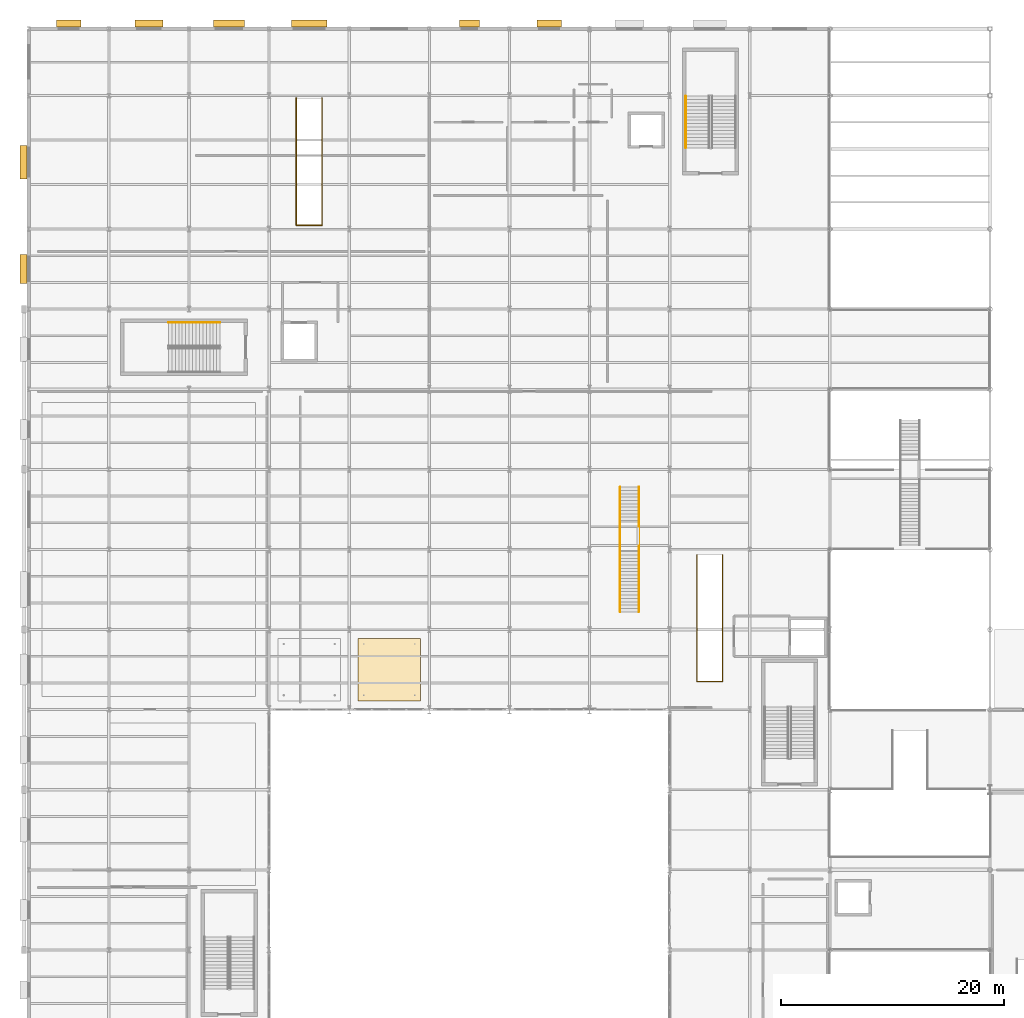
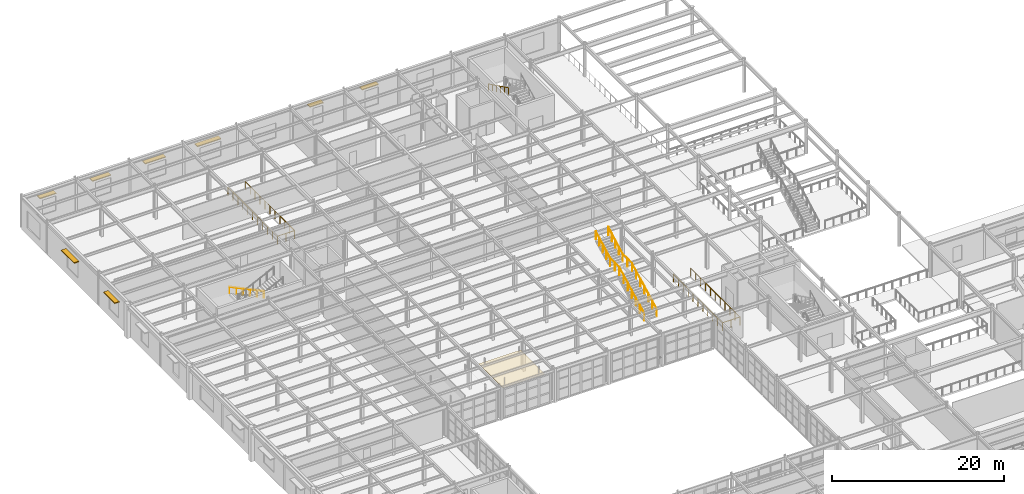
# One storey, part 116 of 121: 8 shading devices, 6 railings, 1 covering.
"""IFC4 building model written with IfcOpenShell, lengths in metres."""

from ifc_helpers import new_model, si_unit, direction, frame, origin, origin_2d, place, context, subcontext, project, spatial, polyline, rectangle, circle, outline, extrude, material, layer, layer_set, type_object, element, save


model = new_model("IFC4")

# Units and contexts
model_context = context("Model", 3, precision=1e-05, world=origin(), true_north=direction((0.0, 1.0)))
body_context = subcontext(model_context, "Body", "Model", "MODEL_VIEW")
ifc_project = project(units=[si_unit("LENGTHUNIT", "METRE"), si_unit("AREAUNIT", "SQUARE_METRE"), si_unit("VOLUMEUNIT", "CUBIC_METRE"), si_unit("PLANEANGLEUNIT", "RADIAN"), si_unit("MASSUNIT", "GRAM", prefix="KILO")], contexts=[model_context])

# Site, building, storey
site_placement = place(None, origin())
site = spatial("IfcSite", under=ifc_project, at=site_placement, CompositionType="ELEMENT")
building_placement = place(site_placement, origin())
building = spatial("IfcBuilding", under=site, at=building_placement, Name="Solvadek Multi-Sports Hall", CompositionType="ELEMENT")
storey_placement = place(building_placement, frame((0.0, 0.0, 4.800048828125)))
storey = spatial("IfcBuildingStorey", under=building, at=storey_placement, Name="L01", CompositionType="ELEMENT", Elevation=4.800048828125)

# Shading devices
ifc_material_1 = material(Name="Perforated champagne-bronze anodised aluminium", Category="aluminium")
shading_device_type_1 = type_object("IfcShadingDeviceType", Name="ENV-SHD-CHAJJA1", PredefinedType="JALOUSIE", material=ifc_material_1)
shading_device_1_placement = place(storey_placement, frame((-0.469482421875, 88.800048828125, 3.419921875), z_axis=(0.0, 0.0, 1.0), x_axis=(0.0, 1.0, 0.0)))
element("IfcShadingDevice", 1, at=shading_device_1_placement, inside=storey, type_object=shading_device_type_1, Name="L01 Chajja Solar Shading Hood #24", PredefinedType="JALOUSIE", context=body_context, shape_type="SweptSolid", body=[
    extrude(rectangle(XDim=2.60009765625, YDim=0.639892578125, at=origin_2d()), origin(), (0.0, 0.0, 1.0), 0.1201171875),
])
shading_device_2_placement = place(storey_placement, frame((-0.469482421875, 98.39990234375, 3.419921875), z_axis=(0.0, 0.0, 1.0), x_axis=(0.0, 1.0, 0.0)))
element("IfcShadingDevice", 2, at=shading_device_2_placement, inside=storey, type_object=shading_device_type_1, Name="L01 Chajja Solar Shading Hood #26", PredefinedType="JALOUSIE", context=body_context, shape_type="SweptSolid", body=[
    extrude(rectangle(XDim=3.0, YDim=0.639892578125, at=origin_2d()), origin(), (0.0, 0.0, 1.0), 0.1201171875),
])
shading_device_3_placement = place(storey_placement, frame((10.800048828125, 110.869384765625, 3.119873046875), z_axis=(0.0, 0.0, 1.0), x_axis=(1.0, 0.0, 0.0)))
element("IfcShadingDevice", 3, at=shading_device_3_placement, inside=storey, type_object=shading_device_type_1, Name="L01 Chajja Solar Shading Hood #31", PredefinedType="JALOUSIE", context=body_context, shape_type="SweptSolid", body=[
    extrude(rectangle(XDim=2.5, YDim=0.639892578125, at=origin_2d()), origin(), (0.0, 0.0, 1.0), 0.1201171875),
])
shading_device_4_placement = place(storey_placement, frame((18.0, 110.869384765625, 3.119873046875), z_axis=(0.0, 0.0, 1.0), x_axis=(1.0, 0.0, 0.0)))
element("IfcShadingDevice", 4, at=shading_device_4_placement, inside=storey, type_object=shading_device_type_1, Name="L01 Chajja Solar Shading Hood #33", PredefinedType="JALOUSIE", context=body_context, shape_type="SweptSolid", body=[
    extrude(rectangle(XDim=2.800048828125, YDim=0.639892578125, at=origin_2d()), origin(), (0.0, 0.0, 1.0), 0.1201171875),
])
shading_device_5_placement = place(storey_placement, frame((25.199951171875, 110.869384765625, 3.119873046875), z_axis=(0.0, 0.0, 1.0), x_axis=(1.0, 0.0, 0.0)))
element("IfcShadingDevice", 5, at=shading_device_5_placement, inside=storey, type_object=shading_device_type_1, Name="L01 Chajja Solar Shading Hood #36", PredefinedType="JALOUSIE", context=body_context, shape_type="SweptSolid", body=[
    extrude(rectangle(XDim=3.199951171875, YDim=0.639892578125, at=origin_2d()), origin(), (0.0, 0.0, 1.0), 0.1201171875),
])
shading_device_type_2 = type_object("IfcShadingDeviceType", Name="ENV-SHD-CHAJJA2", PredefinedType="JALOUSIE", material=ifc_material_1)
shading_device_6_placement = place(storey_placement, frame((3.60009765625, 110.869384765625, 3.119873046875), z_axis=(0.0, 0.0, 1.0), x_axis=(1.0, 0.0, 0.0)))
element("IfcShadingDevice", 6, at=shading_device_6_placement, inside=storey, type_object=shading_device_type_2, Name="L01 Chajja Solar Shading Hood #29", PredefinedType="JALOUSIE", context=body_context, shape_type="SweptSolid", body=[
    extrude(rectangle(XDim=2.199951171875, YDim=0.639892578125, at=origin_2d()), origin(), (0.0, 0.0, 1.0), 0.1201171875),
])
shading_device_7_placement = place(storey_placement, frame((39.60009765625, 110.869384765625, 3.419921875), z_axis=(0.0, 0.0, 1.0), x_axis=(1.0, 0.0, 0.0)))
element("IfcShadingDevice", 7, at=shading_device_7_placement, inside=storey, type_object=shading_device_type_2, Name="L01 Chajja Solar Shading Hood #40", PredefinedType="JALOUSIE", context=body_context, shape_type="SweptSolid", body=[
    extrude(rectangle(XDim=1.800048828125, YDim=0.639892578125, at=origin_2d()), origin(), (0.0, 0.0, 1.0), 0.1201171875),
])
shading_device_8_placement = place(storey_placement, frame((46.800048828125, 110.869384765625, 3.419921875), z_axis=(0.0, 0.0, 1.0), x_axis=(1.0, 0.0, 0.0)))
element("IfcShadingDevice", 8, at=shading_device_8_placement, inside=storey, type_object=shading_device_type_2, Name="L01 Chajja Solar Shading Hood #42", PredefinedType="JALOUSIE", context=body_context, shape_type="SweptSolid", body=[
    extrude(rectangle(XDim=2.199951171875, YDim=0.639892578125, at=origin_2d()), origin(), (0.0, 0.0, 1.0), 0.1201171875),
])

# Covering
ifc_material_2 = material(Name="Acoustic mineral-wool ceiling tile")
ifc_layer = layer(ifc_material_2, 0.02490234375, Name="Acoustic mineral-wool ceiling tile")
ifc_layer_set = layer_set([ifc_layer], Name="Acoustic mineral-wool ceiling tile")
covering_type = type_object("IfcCoveringType", Name="INT-COV-CEIL", PredefinedType="CEILING", material=ifc_layer_set)
covering_placement = place(storey_placement, frame((0.0, 0.0, 3.599853515625)))
element("IfcCovering", 9, at=covering_placement, inside=storey, type_object=covering_type, Name="L01 Acoustic Suspended Ceiling Raft #5", PredefinedType="CEILING", context=body_context, shape_type="SweptSolid", body=[
    extrude(outline(polyline([(29.60009765625, 50.0), (35.199951171875, 50.0), (35.199951171875, 55.60009765625), (29.60009765625, 55.60009765625), (29.60009765625, 50.0)])), origin(), (0.0, 0.0, 1.0), 0.025146484375),
])

# Railings
ifc_material_3 = material(Name="Steel E250 (250 MPa)", Category="steel")
railing_type_1 = type_object("IfcRailingType", Name="INT-RAL-GRD115", PredefinedType="BALUSTRADE", material=ifc_material_3)
railing_1_placement = place(storey_placement, frame((54.840087890625, 58.0, 0.0)))
element("IfcRailing", 10, at=railing_1_placement, inside=storey, type_object=railing_type_1, Name="Stair ST-13 Balustrade Guard", PredefinedType="BALUSTRADE", context=body_context, shape_type="SweptSolid", body=[
    extrude(circle(Radius=0.02392578125, at=origin_2d()), frame((0.0, 0.0, 1.1259765625), z_axis=(0.0, 0.884916578004, 0.465749557138), x_axis=(-1.0, 0.0, 0.0)), (0.0, 0.0, 1.0), 6.441162109375),
    extrude(circle(Radius=0.02392578125, at=origin_2d()), frame((0.0, 5.699951171875, 4.1259765625), z_axis=(0.0, 1.0, 0.0), x_axis=(-1.0, 0.0, 0.0)), (0.0, 0.0, 1.0), 2.199951171875),
    extrude(circle(Radius=0.02392578125, at=origin_2d()), frame((0.0, 7.89990234375, 4.1259765625), z_axis=(0.0, 0.877893090839, 0.478856681124), x_axis=(-1.0, 0.0, 0.0)), (0.0, 0.0, 1.0), 3.759033203125),
    extrude(circle(Radius=0.02099609375, at=origin_2d()), origin(), (0.0, 0.0, 1.0), 1.101806640625),
    extrude(circle(Radius=0.02099609375, at=origin_2d()), frame((0.0, 0.949951171875, 0.5)), (0.0, 0.0, 1.0), 1.101806640625),
    extrude(circle(Radius=0.02099609375, at=origin_2d()), frame((0.0, 1.89990234375, 1.0)), (0.0, 0.0, 1.0), 1.101806640625),
    extrude(circle(Radius=0.02099609375, at=origin_2d()), frame((0.0, 2.85009765625, 1.5)), (0.0, 0.0, 1.0), 1.101806640625),
    extrude(circle(Radius=0.02099609375, at=origin_2d()), frame((0.0, 3.800048828125, 2.0)), (0.0, 0.0, 1.0), 1.101806640625),
    extrude(circle(Radius=0.02099609375, at=origin_2d()), frame((0.0, 4.75, 2.5)), (0.0, 0.0, 1.0), 1.101806640625),
    extrude(circle(Radius=0.02099609375, at=origin_2d()), frame((0.0, 5.699951171875, 3.0)), (0.0, 0.0, 1.0), 1.101806640625),
    extrude(circle(Radius=0.02099609375, at=origin_2d()), frame((0.0, 6.7998046875, 3.0)), (0.0, 0.0, 1.0), 1.101806640625),
    extrude(circle(Radius=0.02099609375, at=origin_2d()), frame((0.0, 7.89990234375, 3.0)), (0.0, 0.0, 1.0), 1.101806640625),
    extrude(circle(Radius=0.02099609375, at=origin_2d()), frame((0.0, 8.724853515625, 3.449951171875)), (0.0, 0.0, 1.0), 1.101806640625),
    extrude(circle(Radius=0.02099609375, at=origin_2d()), frame((0.0, 9.5498046875, 3.89990234375)), (0.0, 0.0, 1.0), 1.101806640625),
    extrude(circle(Radius=0.02099609375, at=origin_2d()), frame((0.0, 10.375, 4.35009765625)), (0.0, 0.0, 1.0), 1.101806640625),
    extrude(circle(Radius=0.02099609375, at=origin_2d()), frame((0.0, 11.199951171875, 4.800048828125)), (0.0, 0.0, 1.0), 1.101806640625),
])
railing_2_placement = place(storey_placement, frame((53.159912109375, 58.0, 0.0)))
element("IfcRailing", 11, at=railing_2_placement, inside=storey, type_object=railing_type_1, Name="Stair ST-13 Balustrade Guard", PredefinedType="BALUSTRADE", context=body_context, shape_type="SweptSolid", body=[
    extrude(circle(Radius=0.02392578125, at=origin_2d()), frame((0.0, 0.0, 1.1259765625), z_axis=(0.0, 0.884916578004, 0.465749557138), x_axis=(-1.0, 0.0, 0.0)), (0.0, 0.0, 1.0), 6.441162109375),
    extrude(circle(Radius=0.02392578125, at=origin_2d()), frame((0.0, 5.699951171875, 4.1259765625), z_axis=(0.0, 1.0, 0.0), x_axis=(-1.0, 0.0, 0.0)), (0.0, 0.0, 1.0), 2.199951171875),
    extrude(circle(Radius=0.02392578125, at=origin_2d()), frame((0.0, 7.89990234375, 4.1259765625), z_axis=(0.0, 0.877893090839, 0.478856681124), x_axis=(-1.0, 0.0, 0.0)), (0.0, 0.0, 1.0), 3.759033203125),
    extrude(circle(Radius=0.02099609375, at=origin_2d()), origin(), (0.0, 0.0, 1.0), 1.101806640625),
    extrude(circle(Radius=0.02099609375, at=origin_2d()), frame((0.0, 0.949951171875, 0.5)), (0.0, 0.0, 1.0), 1.101806640625),
    extrude(circle(Radius=0.02099609375, at=origin_2d()), frame((0.0, 1.89990234375, 1.0)), (0.0, 0.0, 1.0), 1.101806640625),
    extrude(circle(Radius=0.02099609375, at=origin_2d()), frame((0.0, 2.85009765625, 1.5)), (0.0, 0.0, 1.0), 1.101806640625),
    extrude(circle(Radius=0.02099609375, at=origin_2d()), frame((0.0, 3.800048828125, 2.0)), (0.0, 0.0, 1.0), 1.101806640625),
    extrude(circle(Radius=0.02099609375, at=origin_2d()), frame((0.0, 4.75, 2.5)), (0.0, 0.0, 1.0), 1.101806640625),
    extrude(circle(Radius=0.02099609375, at=origin_2d()), frame((0.0, 5.699951171875, 3.0)), (0.0, 0.0, 1.0), 1.101806640625),
    extrude(circle(Radius=0.02099609375, at=origin_2d()), frame((0.0, 6.7998046875, 3.0)), (0.0, 0.0, 1.0), 1.101806640625),
    extrude(circle(Radius=0.02099609375, at=origin_2d()), frame((0.0, 7.89990234375, 3.0)), (0.0, 0.0, 1.0), 1.101806640625),
    extrude(circle(Radius=0.02099609375, at=origin_2d()), frame((0.0, 8.724853515625, 3.449951171875)), (0.0, 0.0, 1.0), 1.101806640625),
    extrude(circle(Radius=0.02099609375, at=origin_2d()), frame((0.0, 9.5498046875, 3.89990234375)), (0.0, 0.0, 1.0), 1.101806640625),
    extrude(circle(Radius=0.02099609375, at=origin_2d()), frame((0.0, 10.375, 4.35009765625)), (0.0, 0.0, 1.0), 1.101806640625),
    extrude(circle(Radius=0.02099609375, at=origin_2d()), frame((0.0, 11.199951171875, 4.800048828125)), (0.0, 0.0, 1.0), 1.101806640625),
])
railing_3_placement = place(storey_placement, frame((24.0400390625, 104.199951171875, 0.0)))
element("IfcRailing", 12, at=railing_3_placement, inside=storey, type_object=railing_type_1, Name="L01 Void Edge Balustrade Guard #30", PredefinedType="BALUSTRADE", context=body_context, shape_type="SweptSolid", body=[
    extrude(circle(Radius=0.02392578125, at=origin_2d()), frame((0.0, 0.0, 1.1259765625), z_axis=(0.0, -1.0, 0.0), x_axis=(1.0, 0.0, 0.0)), (0.0, 0.0, 1.0), 11.4599609375),
    extrude(circle(Radius=0.02392578125, at=origin_2d()), frame((0.0, -11.4599609375, 1.1259765625), z_axis=(1.0, 0.0, 0.0), x_axis=(0.0, 1.0, 0.0)), (0.0, 0.0, 1.0), 2.320068359375),
    extrude(circle(Radius=0.02392578125, at=origin_2d()), frame((2.320068359375, -11.4599609375, 1.1259765625), z_axis=(0.0, 1.0, 0.0), x_axis=(-1.0, 0.0, 0.0)), (0.0, 0.0, 1.0), 11.4599609375),
    extrude(circle(Radius=0.02099609375, at=origin_2d()), origin(), (0.0, 0.0, 1.0), 1.101806640625),
    extrude(circle(Radius=0.02099609375, at=origin_2d()), frame((0.0, -1.14599609375, 0.0)), (0.0, 0.0, 1.0), 1.101806640625),
    extrude(circle(Radius=0.02099609375, at=origin_2d()), frame((0.0, -2.2919921875, 0.0)), (0.0, 0.0, 1.0), 1.101806640625),
    extrude(circle(Radius=0.02099609375, at=origin_2d()), frame((0.0, -3.43798828125, 0.0)), (0.0, 0.0, 1.0), 1.101806640625),
    extrude(circle(Radius=0.02099609375, at=origin_2d()), frame((0.0, -4.583984375, 0.0)), (0.0, 0.0, 1.0), 1.101806640625),
    extrude(circle(Radius=0.02099609375, at=origin_2d()), frame((0.0, -5.72998046875, 0.0)), (0.0, 0.0, 1.0), 1.101806640625),
    extrude(circle(Radius=0.02099609375, at=origin_2d()), frame((0.0, -6.8759765625, 0.0)), (0.0, 0.0, 1.0), 1.101806640625),
    extrude(circle(Radius=0.02099609375, at=origin_2d()), frame((0.0, -8.02197265625, 0.0)), (0.0, 0.0, 1.0), 1.101806640625),
    extrude(circle(Radius=0.02099609375, at=origin_2d()), frame((0.0, -9.16796875, 0.0)), (0.0, 0.0, 1.0), 1.101806640625),
    extrude(circle(Radius=0.02099609375, at=origin_2d()), frame((0.0, -10.31396484375, 0.0)), (0.0, 0.0, 1.0), 1.101806640625),
    extrude(circle(Radius=0.02099609375, at=origin_2d()), frame((0.0, -11.4599609375, 0.0)), (0.0, 0.0, 1.0), 1.101806640625),
    extrude(circle(Radius=0.02099609375, at=origin_2d()), frame((1.16015625, -11.4599609375, 0.0)), (0.0, 0.0, 1.0), 1.101806640625),
    extrude(circle(Radius=0.02099609375, at=origin_2d()), frame((2.320068359375, -11.4599609375, 0.0)), (0.0, 0.0, 1.0), 1.101806640625),
    extrude(circle(Radius=0.02099609375, at=origin_2d()), frame((2.320068359375, -10.31396484375, 0.0)), (0.0, 0.0, 1.0), 1.101806640625),
    extrude(circle(Radius=0.02099609375, at=origin_2d()), frame((2.320068359375, -9.16796875, 0.0)), (0.0, 0.0, 1.0), 1.101806640625),
    extrude(circle(Radius=0.02099609375, at=origin_2d()), frame((2.320068359375, -8.02197265625, 0.0)), (0.0, 0.0, 1.0), 1.101806640625),
    extrude(circle(Radius=0.02099609375, at=origin_2d()), frame((2.320068359375, -6.8759765625, 0.0)), (0.0, 0.0, 1.0), 1.101806640625),
    extrude(circle(Radius=0.02099609375, at=origin_2d()), frame((2.320068359375, -5.72998046875, 0.0)), (0.0, 0.0, 1.0), 1.101806640625),
    extrude(circle(Radius=0.02099609375, at=origin_2d()), frame((2.320068359375, -4.583984375, 0.0)), (0.0, 0.0, 1.0), 1.101806640625),
    extrude(circle(Radius=0.02099609375, at=origin_2d()), frame((2.320068359375, -3.43798828125, 0.0)), (0.0, 0.0, 1.0), 1.101806640625),
    extrude(circle(Radius=0.02099609375, at=origin_2d()), frame((2.320068359375, -2.2919921875, 0.0)), (0.0, 0.0, 1.0), 1.101806640625),
    extrude(circle(Radius=0.02099609375, at=origin_2d()), frame((2.320068359375, -1.14599609375, 0.0)), (0.0, 0.0, 1.0), 1.101806640625),
    extrude(circle(Radius=0.02099609375, at=origin_2d()), frame((2.320068359375, 0.0, 0.0)), (0.0, 0.0, 1.0), 1.101806640625),
])
railing_4_placement = place(storey_placement, frame((60.0400390625, 63.1201171875, 0.0)))
element("IfcRailing", 13, at=railing_4_placement, inside=storey, type_object=railing_type_1, Name="L01 Void Edge Balustrade Guard #67", PredefinedType="BALUSTRADE", context=body_context, shape_type="SweptSolid", body=[
    extrude(circle(Radius=0.02392578125, at=origin_2d()), frame((0.0, 0.0, 1.1259765625), z_axis=(0.0, -1.0, 0.0), x_axis=(1.0, 0.0, 0.0)), (0.0, 0.0, 1.0), 11.380126953125),
    extrude(circle(Radius=0.02392578125, at=origin_2d()), frame((0.0, -11.380126953125, 1.1259765625), z_axis=(1.0, 0.0, 0.0), x_axis=(0.0, 1.0, 0.0)), (0.0, 0.0, 1.0), 2.320068359375),
    extrude(circle(Radius=0.02392578125, at=origin_2d()), frame((2.320068359375, -11.380126953125, 1.1259765625), z_axis=(0.0, 1.0, 0.0), x_axis=(-1.0, 0.0, 0.0)), (0.0, 0.0, 1.0), 11.380126953125),
    extrude(circle(Radius=0.02099609375, at=origin_2d()), origin(), (0.0, 0.0, 1.0), 1.101806640625),
    extrude(circle(Radius=0.02099609375, at=origin_2d()), frame((0.0, -1.137939453125, 0.0)), (0.0, 0.0, 1.0), 1.101806640625),
    extrude(circle(Radius=0.02099609375, at=origin_2d()), frame((0.0, -2.276123046875, 0.0)), (0.0, 0.0, 1.0), 1.101806640625),
    extrude(circle(Radius=0.02099609375, at=origin_2d()), frame((0.0, -3.4140625, 0.0)), (0.0, 0.0, 1.0), 1.101806640625),
    extrude(circle(Radius=0.02099609375, at=origin_2d()), frame((0.0, -4.552001953125, 0.0)), (0.0, 0.0, 1.0), 1.101806640625),
    extrude(circle(Radius=0.02099609375, at=origin_2d()), frame((0.0, -5.68994140625, 0.0)), (0.0, 0.0, 1.0), 1.101806640625),
    extrude(circle(Radius=0.02099609375, at=origin_2d()), frame((0.0, -6.828125, 0.0)), (0.0, 0.0, 1.0), 1.101806640625),
    extrude(circle(Radius=0.02099609375, at=origin_2d()), frame((0.0, -7.966064453125, 0.0)), (0.0, 0.0, 1.0), 1.101806640625),
    extrude(circle(Radius=0.02099609375, at=origin_2d()), frame((0.0, -9.10400390625, 0.0)), (0.0, 0.0, 1.0), 1.101806640625),
    extrude(circle(Radius=0.02099609375, at=origin_2d()), frame((0.0, -10.2421875, 0.0)), (0.0, 0.0, 1.0), 1.101806640625),
    extrude(circle(Radius=0.02099609375, at=origin_2d()), frame((0.0, -11.380126953125, 0.0)), (0.0, 0.0, 1.0), 1.101806640625),
    extrude(circle(Radius=0.02099609375, at=origin_2d()), frame((1.16015625, -11.380126953125, 0.0)), (0.0, 0.0, 1.0), 1.101806640625),
    extrude(circle(Radius=0.02099609375, at=origin_2d()), frame((2.320068359375, -11.380126953125, 0.0)), (0.0, 0.0, 1.0), 1.101806640625),
    extrude(circle(Radius=0.02099609375, at=origin_2d()), frame((2.320068359375, -10.2421875, 0.0)), (0.0, 0.0, 1.0), 1.101806640625),
    extrude(circle(Radius=0.02099609375, at=origin_2d()), frame((2.320068359375, -9.10400390625, 0.0)), (0.0, 0.0, 1.0), 1.101806640625),
    extrude(circle(Radius=0.02099609375, at=origin_2d()), frame((2.320068359375, -7.966064453125, 0.0)), (0.0, 0.0, 1.0), 1.101806640625),
    extrude(circle(Radius=0.02099609375, at=origin_2d()), frame((2.320068359375, -6.828125, 0.0)), (0.0, 0.0, 1.0), 1.101806640625),
    extrude(circle(Radius=0.02099609375, at=origin_2d()), frame((2.320068359375, -5.68994140625, 0.0)), (0.0, 0.0, 1.0), 1.101806640625),
    extrude(circle(Radius=0.02099609375, at=origin_2d()), frame((2.320068359375, -4.552001953125, 0.0)), (0.0, 0.0, 1.0), 1.101806640625),
    extrude(circle(Radius=0.02099609375, at=origin_2d()), frame((2.320068359375, -3.4140625, 0.0)), (0.0, 0.0, 1.0), 1.101806640625),
    extrude(circle(Radius=0.02099609375, at=origin_2d()), frame((2.320068359375, -2.276123046875, 0.0)), (0.0, 0.0, 1.0), 1.101806640625),
    extrude(circle(Radius=0.02099609375, at=origin_2d()), frame((2.320068359375, -1.137939453125, 0.0)), (0.0, 0.0, 1.0), 1.101806640625),
    extrude(circle(Radius=0.02099609375, at=origin_2d()), frame((2.320068359375, 0.0, 0.0)), (0.0, 0.0, 1.0), 1.101806640625),
])
railing_type_2 = type_object("IfcRailingType", Name="INT-RAL-HND090", PredefinedType="HANDRAIL", material=ifc_material_3)
railing_5_placement = place(storey_placement, frame((17.199951171875, 84.0, 0.14990234375)))
element("IfcRailing", 14, at=railing_5_placement, inside=storey, type_object=railing_type_2, Name="L01 ST-02 stair handrail 1", PredefinedType="HANDRAIL", context=body_context, shape_type="SweptSolid", body=[
    extrude(circle(Radius=0.02392578125, at=origin_2d()), frame((0.0, 0.0, 0.8759765625), z_axis=(-0.900155664878, 0.0, 0.435568340204), x_axis=(0.0, -1.0, 0.0)), (0.0, 0.0, 1.0), 5.165771484375),
    extrude(circle(Radius=0.02099609375, at=origin_2d()), origin(), (0.0, 0.0, 1.0), 0.851806640625),
    extrude(circle(Radius=0.02099609375, at=origin_2d()), frame((-0.929931640625, 0.0, 0.449951171875)), (0.0, 0.0, 1.0), 0.851806640625),
    extrude(circle(Radius=0.02099609375, at=origin_2d()), frame((-1.85986328125, 0.0, 0.89990234375)), (0.0, 0.0, 1.0), 0.851806640625),
    extrude(circle(Radius=0.02099609375, at=origin_2d()), frame((-2.7900390625, 0.0, 1.35009765625)), (0.0, 0.0, 1.0), 0.851806640625),
    extrude(circle(Radius=0.02099609375, at=origin_2d()), frame((-3.719970703125, 0.0, 1.800048828125)), (0.0, 0.0, 1.0), 0.851806640625),
    extrude(circle(Radius=0.02099609375, at=origin_2d()), frame((-4.64990234375, 0.0, 2.25)), (0.0, 0.0, 1.0), 0.851806640625),
])
railing_6_placement = place(storey_placement, frame((59.050048828125, 104.35009765625, 2.550048828125)))
element("IfcRailing", 15, at=railing_6_placement, inside=storey, type_object=railing_type_2, Name="L01 ST-03 stair handrail 2", PredefinedType="HANDRAIL", context=body_context, shape_type="SweptSolid", body=[
    extrude(circle(Radius=0.02392578125, at=origin_2d()), frame((0.0, 0.0, 0.8759765625), z_axis=(0.0, -0.900164630878, 0.435549810373), x_axis=(1.0, 0.0, 0.0)), (0.0, 0.0, 1.0), 5.165771484375),
    extrude(circle(Radius=0.02099609375, at=origin_2d()), origin(), (0.0, 0.0, 1.0), 0.851806640625),
    extrude(circle(Radius=0.02099609375, at=origin_2d()), frame((0.0, -0.929931640625, 0.449951171875)), (0.0, 0.0, 1.0), 0.851806640625),
    extrude(circle(Radius=0.02099609375, at=origin_2d()), frame((0.0, -1.860107421875, 0.89990234375)), (0.0, 0.0, 1.0), 0.851806640625),
    extrude(circle(Radius=0.02099609375, at=origin_2d()), frame((0.0, -2.7900390625, 1.35009765625)), (0.0, 0.0, 1.0), 0.851806640625),
    extrude(circle(Radius=0.02099609375, at=origin_2d()), frame((0.0, -3.72021484375, 1.800048828125)), (0.0, 0.0, 1.0), 0.851806640625),
    extrude(circle(Radius=0.02099609375, at=origin_2d()), frame((0.0, -4.650146484375, 2.25)), (0.0, 0.0, 1.0), 0.851806640625),
])

save(model, "model.ifc")
